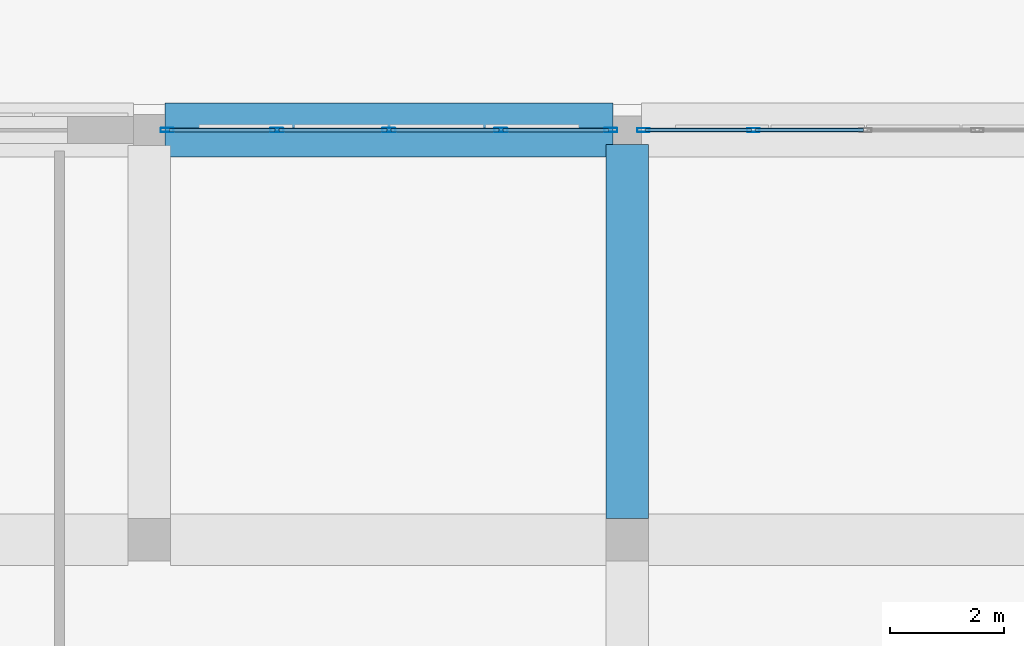
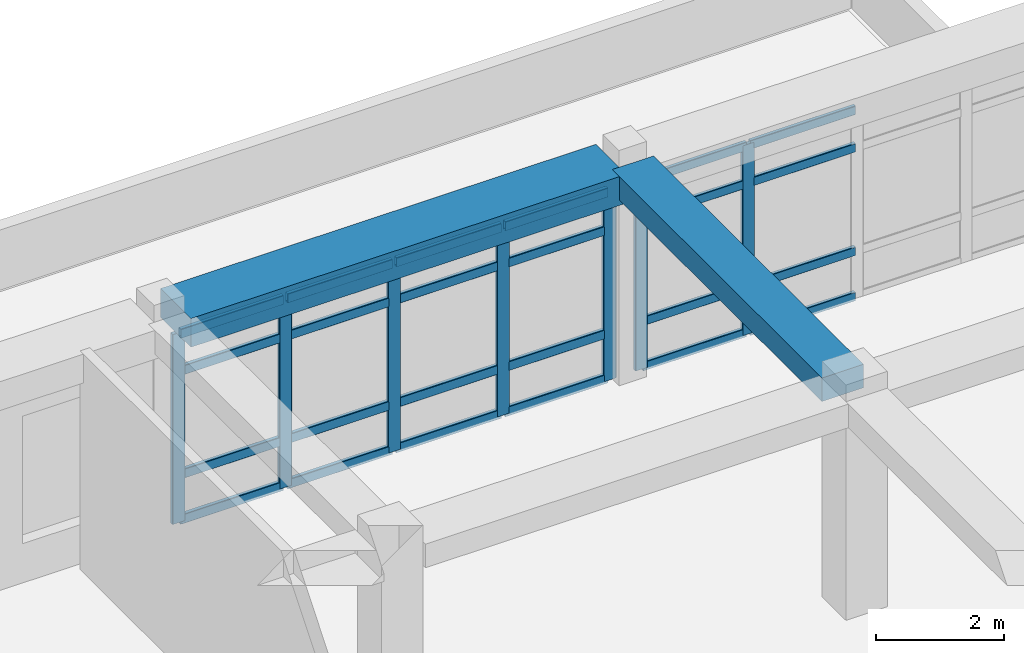
# One storey, part 40 of 111: 31 members, 2 beams, 2 elements without a shape of their own.
"""IFC4 building model written with IfcOpenShell, lengths in metres."""

from ifc_helpers import new_model, si_unit, derived_unit, direction, frame, origin, origin_2d, place, context, subcontext, project, spatial, rectangle, hollow_rectangle, extrude, material, material_profile, profile_set, type_object, element, aggregate, save


model = new_model("IFC4")

# Units and contexts
model_context = context("Model", 3, precision=1e-05, world=origin(), true_north=direction((0.0, 1.0)))
body_context = subcontext(model_context, "Body", "Model", "MODEL_VIEW")
ifc_project = project(units=[si_unit("LENGTHUNIT", "METRE"), si_unit("AREAUNIT", "SQUARE_METRE"), si_unit("VOLUMEUNIT", "CUBIC_METRE"), si_unit("PLANEANGLEUNIT", "RADIAN"), si_unit("MASSUNIT", "GRAM", prefix="KILO"), derived_unit("THERMALTRANSMITTANCEUNIT", [(si_unit("POWERUNIT", "WATT"), 1), (si_unit("LENGTHUNIT", "METRE"), -2), (si_unit("THERMODYNAMICTEMPERATUREUNIT", "KELVIN"), -1)])], contexts=[model_context])

# Site, building, storey
site_placement = place(None, origin())
site = spatial("IfcSite", under=ifc_project, at=site_placement, CompositionType="ELEMENT")
building_placement = place(site_placement, origin())
building = spatial("IfcBuilding", under=site, at=building_placement, Name="Veybourne Emporium", CompositionType="ELEMENT")
storey_placement = place(building_placement, frame((0.0, 0.0, 9.89990234375)))
storey = spatial("IfcBuildingStorey", under=building, at=storey_placement, Name="L02", CompositionType="ELEMENT", Elevation=9.89990234375)

# Curtain wall, members
ifc_material_1 = material(Name="Patinated Architectural Bronze", Category="bronze")
curtain_wall_type_1 = type_object("IfcCurtainWallType", Name="CWSystem_CWS-18", PredefinedType="NOTDEFINED", material=ifc_material_1)
curtain_wall_1_placement = place(storey_placement, origin())
curtain_wall_1 = element("IfcCurtainWall", 1, at=curtain_wall_1_placement, inside=storey, type_object=curtain_wall_type_1, Name="L02 bronze glazed curtain wall CWS-18 (045)", PredefinedType="NOTDEFINED")
ifc_material_profile_1 = material_profile(ifc_material_1, hollow_rectangle(XDim=0.074951171875, YDim=0.22998046875, WallThickness=0.0048828125, InnerFilletRadius=0.007568359375, OuterFilletRadius=0.012451171875, at=origin_2d()), Name="CWM 75x230x5")
ifc_profile_set_1 = profile_set([ifc_material_profile_1], Name="Patinated Architectural Bronze")
member_type_1 = type_object("IfcMemberType", Name="CWMullion_CW-M2", PredefinedType="MULLION", material=ifc_profile_set_1)
member_1_placement = place(storey_placement, frame((84.3125, 108.0, 0.0), z_axis=(0.0, 0.0, 1.0), x_axis=(0.0, 1.0, 0.0)))
member_1 = element("IfcMember", 2, at=member_1_placement, type_object=member_type_1, Name="CWS-18 mullion 1", PredefinedType="MULLION", context=body_context, shape_type="SweptSolid", body=[
    extrude(hollow_rectangle(XDim=0.074951171875, YDim=0.22998046875, WallThickness=0.0048828125, InnerFilletRadius=0.007568359375, OuterFilletRadius=0.012451171875, at=origin_2d()), origin(), (0.0, 0.0, 1.0), 3.630126953125),
])
member_2_placement = place(storey_placement, frame((86.24365234375, 108.0, 0.0), z_axis=(0.0, 0.0, 1.0), x_axis=(0.0, 1.0, 0.0)))
member_2 = element("IfcMember", 3, at=member_2_placement, type_object=member_type_1, Name="CWS-18 mullion 2", PredefinedType="MULLION", context=body_context, shape_type="SweptSolid", body=[
    extrude(hollow_rectangle(XDim=0.074951171875, YDim=0.22998046875, WallThickness=0.0048828125, InnerFilletRadius=0.007568359375, OuterFilletRadius=0.012451171875, at=origin_2d()), origin(), (0.0, 0.0, 1.0), 3.630126953125),
])
member_3_placement = place(storey_placement, frame((88.21240234375, 108.0, 0.0), z_axis=(0.0, 0.0, 1.0), x_axis=(0.0, 1.0, 0.0)))
member_3 = element("IfcMember", 4, at=member_3_placement, type_object=member_type_1, Name="CWS-18 mullion 3", PredefinedType="MULLION", context=body_context, shape_type="SweptSolid", body=[
    extrude(hollow_rectangle(XDim=0.074951171875, YDim=0.22998046875, WallThickness=0.0048828125, InnerFilletRadius=0.007568359375, OuterFilletRadius=0.012451171875, at=origin_2d()), origin(), (0.0, 0.0, 1.0), 3.630126953125),
])
member_4_placement = place(storey_placement, frame((90.18115234375, 108.0, 0.0), z_axis=(0.0, 0.0, 1.0), x_axis=(0.0, 1.0, 0.0)))
member_4 = element("IfcMember", 5, at=member_4_placement, type_object=member_type_1, Name="CWS-18 mullion 4", PredefinedType="MULLION", context=body_context, shape_type="SweptSolid", body=[
    extrude(hollow_rectangle(XDim=0.074951171875, YDim=0.22998046875, WallThickness=0.0048828125, InnerFilletRadius=0.007568359375, OuterFilletRadius=0.012451171875, at=origin_2d()), origin(), (0.0, 0.0, 1.0), 3.630126953125),
])
member_5_placement = place(storey_placement, frame((92.112548828125, 108.0, 0.0), z_axis=(0.0, 0.0, 1.0), x_axis=(0.0, 1.0, 0.0)))
member_5 = element("IfcMember", 6, at=member_5_placement, type_object=member_type_1, Name="CWS-18 mullion 5", PredefinedType="MULLION", context=body_context, shape_type="SweptSolid", body=[
    extrude(hollow_rectangle(XDim=0.074951171875, YDim=0.22998046875, WallThickness=0.0048828125, InnerFilletRadius=0.007568359375, OuterFilletRadius=0.012451171875, at=origin_2d()), origin(), (0.0, 0.0, 1.0), 3.630126953125),
])

curtain_wall_type_2 = type_object("IfcCurtainWallType", Name="CWSystem_CWS-24", PredefinedType="NOTDEFINED", material=ifc_material_1)
curtain_wall_2_placement = place(storey_placement, origin())
curtain_wall_2 = element("IfcCurtainWall", 7, at=curtain_wall_2_placement, inside=storey, type_object=curtain_wall_type_2, Name="L02 bronze glazed curtain wall CWS-24 (060)", PredefinedType="NOTDEFINED")
ifc_material_profile_2 = material_profile(ifc_material_1, hollow_rectangle(XDim=0.070068359375, YDim=0.219970703125, WallThickness=0.0048828125, InnerFilletRadius=0.007568359375, OuterFilletRadius=0.012451171875, at=origin_2d()), Name="CWM 70x220x5")
ifc_profile_set_2 = profile_set([ifc_material_profile_2], Name="Patinated Architectural Bronze")
member_type_2 = type_object("IfcMemberType", Name="CWMullion_CW-M4", PredefinedType="MULLION", material=ifc_profile_set_2)
member_6_placement = place(storey_placement, frame((92.68505859375, 108.0, 0.0), z_axis=(0.0, 0.0, 1.0), x_axis=(0.0, 1.0, 0.0)))
member_6 = element("IfcMember", 8, at=member_6_placement, type_object=member_type_2, Name="CWS-24 mullion 1", PredefinedType="MULLION", context=body_context, shape_type="SweptSolid", body=[
    extrude(hollow_rectangle(XDim=0.070068359375, YDim=0.219970703125, WallThickness=0.0048828125, InnerFilletRadius=0.007568359375, OuterFilletRadius=0.012451171875, at=origin_2d()), origin(), (0.0, 0.0, 1.0), 3.630126953125),
])
member_7_placement = place(storey_placement, frame((94.61865234375, 108.0, 0.0), z_axis=(0.0, 0.0, 1.0), x_axis=(0.0, 1.0, 0.0)))
member_7 = element("IfcMember", 9, at=member_7_placement, type_object=member_type_2, Name="CWS-24 mullion 2", PredefinedType="MULLION", context=body_context, shape_type="SweptSolid", body=[
    extrude(hollow_rectangle(XDim=0.070068359375, YDim=0.219970703125, WallThickness=0.0048828125, InnerFilletRadius=0.007568359375, OuterFilletRadius=0.012451171875, at=origin_2d()), origin(), (0.0, 0.0, 1.0), 3.630126953125),
])

# Member
ifc_material_profile_3 = material_profile(ifc_material_1, hollow_rectangle(XDim=0.074951171875, YDim=0.179931640625, WallThickness=0.0048828125, InnerFilletRadius=0.007568359375, OuterFilletRadius=0.012451171875, at=origin_2d()), Name="CWT 75x180x5")
ifc_profile_set_3 = profile_set([ifc_material_profile_3], Name="Patinated Architectural Bronze")
member_type_3 = type_object("IfcMemberType", Name="CWTransom_CW-T2", PredefinedType="NOTDEFINED", material=ifc_profile_set_3)
member_8_placement = place(storey_placement, frame((84.35009765625, 108.0, 0.03759765625), z_axis=(1.0, 0.0, 0.0), x_axis=(0.0, 1.0, 0.0)))
member_8 = element("IfcMember", 10, at=member_8_placement, type_object=member_type_3, Name="CWS-18 transom 1.1", ObjectType="TRANSOM", PredefinedType="USERDEFINED", context=body_context, shape_type="SweptSolid", body=[
    extrude(hollow_rectangle(XDim=0.074951171875, YDim=0.179931640625, WallThickness=0.0048828125, InnerFilletRadius=0.007568359375, OuterFilletRadius=0.012451171875, at=origin_2d()), origin(), (0.0, 0.0, 1.0), 1.856201171875),
])

member_9_placement = place(storey_placement, frame((84.35009765625, 108.0, 0.900146484375), z_axis=(1.0, 0.0, 0.0), x_axis=(0.0, 1.0, 0.0)))
member_9 = element("IfcMember", 11, at=member_9_placement, type_object=member_type_3, Name="CWS-18 transom 1.2", ObjectType="TRANSOM", PredefinedType="USERDEFINED", context=body_context, shape_type="SweptSolid", body=[
    extrude(hollow_rectangle(XDim=0.074951171875, YDim=0.179931640625, WallThickness=0.0048828125, InnerFilletRadius=0.007568359375, OuterFilletRadius=0.012451171875, at=origin_2d()), origin(), (0.0, 0.0, 1.0), 1.856201171875),
])

member_10_placement = place(storey_placement, frame((84.35009765625, 108.0, 2.880126953125), z_axis=(1.0, 0.0, 0.0), x_axis=(0.0, 1.0, 0.0)))
member_10 = element("IfcMember", 12, at=member_10_placement, type_object=member_type_3, Name="CWS-18 transom 1.3", ObjectType="TRANSOM", PredefinedType="USERDEFINED", context=body_context, shape_type="SweptSolid", body=[
    extrude(hollow_rectangle(XDim=0.074951171875, YDim=0.179931640625, WallThickness=0.0048828125, InnerFilletRadius=0.007568359375, OuterFilletRadius=0.012451171875, at=origin_2d()), origin(), (0.0, 0.0, 1.0), 1.856201171875),
])

member_11_placement = place(storey_placement, frame((84.35009765625, 108.0, 3.592529296875), z_axis=(1.0, 0.0, 0.0), x_axis=(0.0, 1.0, 0.0)))
member_11 = element("IfcMember", 13, at=member_11_placement, type_object=member_type_3, Name="CWS-18 transom 1.4", ObjectType="TRANSOM", PredefinedType="USERDEFINED", context=body_context, shape_type="SweptSolid", body=[
    extrude(hollow_rectangle(XDim=0.074951171875, YDim=0.179931640625, WallThickness=0.0048828125, InnerFilletRadius=0.007568359375, OuterFilletRadius=0.012451171875, at=origin_2d()), origin(), (0.0, 0.0, 1.0), 1.856201171875),
])

member_12_placement = place(storey_placement, frame((86.28125, 108.0, 0.03759765625), z_axis=(1.0, 0.0, 0.0), x_axis=(0.0, 1.0, 0.0)))
member_12 = element("IfcMember", 14, at=member_12_placement, type_object=member_type_3, Name="CWS-18 transom 2.1", ObjectType="TRANSOM", PredefinedType="USERDEFINED", context=body_context, shape_type="SweptSolid", body=[
    extrude(hollow_rectangle(XDim=0.074951171875, YDim=0.179931640625, WallThickness=0.0048828125, InnerFilletRadius=0.007568359375, OuterFilletRadius=0.012451171875, at=origin_2d()), origin(), (0.0, 0.0, 1.0), 1.893798828125),
])

member_13_placement = place(storey_placement, frame((86.28125, 108.0, 0.900146484375), z_axis=(1.0, 0.0, 0.0), x_axis=(0.0, 1.0, 0.0)))
member_13 = element("IfcMember", 15, at=member_13_placement, type_object=member_type_3, Name="CWS-18 transom 2.2", ObjectType="TRANSOM", PredefinedType="USERDEFINED", context=body_context, shape_type="SweptSolid", body=[
    extrude(hollow_rectangle(XDim=0.074951171875, YDim=0.179931640625, WallThickness=0.0048828125, InnerFilletRadius=0.007568359375, OuterFilletRadius=0.012451171875, at=origin_2d()), origin(), (0.0, 0.0, 1.0), 1.893798828125),
])

member_14_placement = place(storey_placement, frame((86.28125, 108.0, 2.880126953125), z_axis=(1.0, 0.0, 0.0), x_axis=(0.0, 1.0, 0.0)))
member_14 = element("IfcMember", 16, at=member_14_placement, type_object=member_type_3, Name="CWS-18 transom 2.3", ObjectType="TRANSOM", PredefinedType="USERDEFINED", context=body_context, shape_type="SweptSolid", body=[
    extrude(hollow_rectangle(XDim=0.074951171875, YDim=0.179931640625, WallThickness=0.0048828125, InnerFilletRadius=0.007568359375, OuterFilletRadius=0.012451171875, at=origin_2d()), origin(), (0.0, 0.0, 1.0), 1.893798828125),
])

member_15_placement = place(storey_placement, frame((86.28125, 108.0, 3.592529296875), z_axis=(1.0, 0.0, 0.0), x_axis=(0.0, 1.0, 0.0)))
member_15 = element("IfcMember", 17, at=member_15_placement, type_object=member_type_3, Name="CWS-18 transom 2.4", ObjectType="TRANSOM", PredefinedType="USERDEFINED", context=body_context, shape_type="SweptSolid", body=[
    extrude(hollow_rectangle(XDim=0.074951171875, YDim=0.179931640625, WallThickness=0.0048828125, InnerFilletRadius=0.007568359375, OuterFilletRadius=0.012451171875, at=origin_2d()), origin(), (0.0, 0.0, 1.0), 1.893798828125),
])

member_16_placement = place(storey_placement, frame((88.25, 108.0, 0.03759765625), z_axis=(1.0, 0.0, 0.0), x_axis=(0.0, 1.0, 0.0)))
member_16 = element("IfcMember", 18, at=member_16_placement, type_object=member_type_3, Name="CWS-18 transom 3.1", ObjectType="TRANSOM", PredefinedType="USERDEFINED", context=body_context, shape_type="SweptSolid", body=[
    extrude(hollow_rectangle(XDim=0.074951171875, YDim=0.179931640625, WallThickness=0.0048828125, InnerFilletRadius=0.007568359375, OuterFilletRadius=0.012451171875, at=origin_2d()), origin(), (0.0, 0.0, 1.0), 1.893798828125),
])

member_17_placement = place(storey_placement, frame((88.25, 108.0, 0.900146484375), z_axis=(1.0, 0.0, 0.0), x_axis=(0.0, 1.0, 0.0)))
member_17 = element("IfcMember", 19, at=member_17_placement, type_object=member_type_3, Name="CWS-18 transom 3.2", ObjectType="TRANSOM", PredefinedType="USERDEFINED", context=body_context, shape_type="SweptSolid", body=[
    extrude(hollow_rectangle(XDim=0.074951171875, YDim=0.179931640625, WallThickness=0.0048828125, InnerFilletRadius=0.007568359375, OuterFilletRadius=0.012451171875, at=origin_2d()), origin(), (0.0, 0.0, 1.0), 1.893798828125),
])

member_18_placement = place(storey_placement, frame((88.25, 108.0, 2.880126953125), z_axis=(1.0, 0.0, 0.0), x_axis=(0.0, 1.0, 0.0)))
member_18 = element("IfcMember", 20, at=member_18_placement, type_object=member_type_3, Name="CWS-18 transom 3.3", ObjectType="TRANSOM", PredefinedType="USERDEFINED", context=body_context, shape_type="SweptSolid", body=[
    extrude(hollow_rectangle(XDim=0.074951171875, YDim=0.179931640625, WallThickness=0.0048828125, InnerFilletRadius=0.007568359375, OuterFilletRadius=0.012451171875, at=origin_2d()), origin(), (0.0, 0.0, 1.0), 1.893798828125),
])

member_19_placement = place(storey_placement, frame((88.25, 108.0, 3.592529296875), z_axis=(1.0, 0.0, 0.0), x_axis=(0.0, 1.0, 0.0)))
member_19 = element("IfcMember", 21, at=member_19_placement, type_object=member_type_3, Name="CWS-18 transom 3.4", ObjectType="TRANSOM", PredefinedType="USERDEFINED", context=body_context, shape_type="SweptSolid", body=[
    extrude(hollow_rectangle(XDim=0.074951171875, YDim=0.179931640625, WallThickness=0.0048828125, InnerFilletRadius=0.007568359375, OuterFilletRadius=0.012451171875, at=origin_2d()), origin(), (0.0, 0.0, 1.0), 1.893798828125),
])

member_20_placement = place(storey_placement, frame((90.21875, 108.0, 0.03759765625), z_axis=(1.0, 0.0, 0.0), x_axis=(0.0, 1.0, 0.0)))
member_20 = element("IfcMember", 22, at=member_20_placement, type_object=member_type_3, Name="CWS-18 transom 4.1", ObjectType="TRANSOM", PredefinedType="USERDEFINED", context=body_context, shape_type="SweptSolid", body=[
    extrude(hollow_rectangle(XDim=0.074951171875, YDim=0.179931640625, WallThickness=0.0048828125, InnerFilletRadius=0.007568359375, OuterFilletRadius=0.012451171875, at=origin_2d()), origin(), (0.0, 0.0, 1.0), 1.856201171875),
])

member_21_placement = place(storey_placement, frame((90.21875, 108.0, 0.900146484375), z_axis=(1.0, 0.0, 0.0), x_axis=(0.0, 1.0, 0.0)))
member_21 = element("IfcMember", 23, at=member_21_placement, type_object=member_type_3, Name="CWS-18 transom 4.2", ObjectType="TRANSOM", PredefinedType="USERDEFINED", context=body_context, shape_type="SweptSolid", body=[
    extrude(hollow_rectangle(XDim=0.074951171875, YDim=0.179931640625, WallThickness=0.0048828125, InnerFilletRadius=0.007568359375, OuterFilletRadius=0.012451171875, at=origin_2d()), origin(), (0.0, 0.0, 1.0), 1.856201171875),
])

member_22_placement = place(storey_placement, frame((90.21875, 108.0, 2.880126953125), z_axis=(1.0, 0.0, 0.0), x_axis=(0.0, 1.0, 0.0)))
member_22 = element("IfcMember", 24, at=member_22_placement, type_object=member_type_3, Name="CWS-18 transom 4.3", ObjectType="TRANSOM", PredefinedType="USERDEFINED", context=body_context, shape_type="SweptSolid", body=[
    extrude(hollow_rectangle(XDim=0.074951171875, YDim=0.179931640625, WallThickness=0.0048828125, InnerFilletRadius=0.007568359375, OuterFilletRadius=0.012451171875, at=origin_2d()), origin(), (0.0, 0.0, 1.0), 1.856201171875),
])

member_23_placement = place(storey_placement, frame((90.21875, 108.0, 3.592529296875), z_axis=(1.0, 0.0, 0.0), x_axis=(0.0, 1.0, 0.0)))
member_23 = element("IfcMember", 25, at=member_23_placement, type_object=member_type_3, Name="CWS-18 transom 4.4", ObjectType="TRANSOM", PredefinedType="USERDEFINED", context=body_context, shape_type="SweptSolid", body=[
    extrude(hollow_rectangle(XDim=0.074951171875, YDim=0.179931640625, WallThickness=0.0048828125, InnerFilletRadius=0.007568359375, OuterFilletRadius=0.012451171875, at=origin_2d()), origin(), (0.0, 0.0, 1.0), 1.856201171875),
])

aggregate(curtain_wall_1, [member_1, member_2, member_3, member_4, member_5, member_8, member_9, member_10, member_11, member_12, member_13, member_14, member_15, member_16, member_17, member_18, member_19, member_20, member_21, member_22, member_23])

ifc_material_profile_4 = material_profile(ifc_material_1, hollow_rectangle(XDim=0.070068359375, YDim=0.169921875, WallThickness=0.0048828125, InnerFilletRadius=0.007568359375, OuterFilletRadius=0.012451171875, at=origin_2d()), Name="CWT 70x170x5")
ifc_profile_set_4 = profile_set([ifc_material_profile_4], Name="Patinated Architectural Bronze")
member_type_4 = type_object("IfcMemberType", Name="CWTransom_CW-T4", PredefinedType="NOTDEFINED", material=ifc_profile_set_4)
member_24_placement = place(storey_placement, frame((92.719970703125, 108.0, 0.03515625), z_axis=(1.0, 0.0, 0.0), x_axis=(0.0, 1.0, 0.0)))
member_24 = element("IfcMember", 26, at=member_24_placement, type_object=member_type_4, Name="CWS-24 transom 1.1", ObjectType="TRANSOM", PredefinedType="USERDEFINED", context=body_context, shape_type="SweptSolid", body=[
    extrude(hollow_rectangle(XDim=0.070068359375, YDim=0.169921875, WallThickness=0.0048828125, InnerFilletRadius=0.007568359375, OuterFilletRadius=0.012451171875, at=origin_2d()), origin(), (0.0, 0.0, 1.0), 1.86376953125),
])

member_25_placement = place(storey_placement, frame((92.719970703125, 108.0, 0.900146484375), z_axis=(1.0, 0.0, 0.0), x_axis=(0.0, 1.0, 0.0)))
member_25 = element("IfcMember", 27, at=member_25_placement, type_object=member_type_4, Name="CWS-24 transom 1.2", ObjectType="TRANSOM", PredefinedType="USERDEFINED", context=body_context, shape_type="SweptSolid", body=[
    extrude(hollow_rectangle(XDim=0.070068359375, YDim=0.169921875, WallThickness=0.0048828125, InnerFilletRadius=0.007568359375, OuterFilletRadius=0.012451171875, at=origin_2d()), origin(), (0.0, 0.0, 1.0), 1.86376953125),
])

member_26_placement = place(storey_placement, frame((92.719970703125, 108.0, 2.880126953125), z_axis=(1.0, 0.0, 0.0), x_axis=(0.0, 1.0, 0.0)))
member_26 = element("IfcMember", 28, at=member_26_placement, type_object=member_type_4, Name="CWS-24 transom 1.3", ObjectType="TRANSOM", PredefinedType="USERDEFINED", context=body_context, shape_type="SweptSolid", body=[
    extrude(hollow_rectangle(XDim=0.070068359375, YDim=0.169921875, WallThickness=0.0048828125, InnerFilletRadius=0.007568359375, OuterFilletRadius=0.012451171875, at=origin_2d()), origin(), (0.0, 0.0, 1.0), 1.86376953125),
])

member_27_placement = place(storey_placement, frame((92.719970703125, 108.0, 3.59521484375), z_axis=(1.0, 0.0, 0.0), x_axis=(0.0, 1.0, 0.0)))
member_27 = element("IfcMember", 29, at=member_27_placement, type_object=member_type_4, Name="CWS-24 transom 1.4", ObjectType="TRANSOM", PredefinedType="USERDEFINED", context=body_context, shape_type="SweptSolid", body=[
    extrude(hollow_rectangle(XDim=0.070068359375, YDim=0.169921875, WallThickness=0.0048828125, InnerFilletRadius=0.007568359375, OuterFilletRadius=0.012451171875, at=origin_2d()), origin(), (0.0, 0.0, 1.0), 1.86376953125),
])

member_28_placement = place(storey_placement, frame((94.65380859375, 108.0, 0.03515625), z_axis=(1.0, 0.0, 0.0), x_axis=(0.0, 1.0, 0.0)))
member_28 = element("IfcMember", 30, at=member_28_placement, type_object=member_type_4, Name="CWS-24 transom 2.1", ObjectType="TRANSOM", PredefinedType="USERDEFINED", context=body_context, shape_type="SweptSolid", body=[
    extrude(hollow_rectangle(XDim=0.070068359375, YDim=0.169921875, WallThickness=0.0048828125, InnerFilletRadius=0.007568359375, OuterFilletRadius=0.012451171875, at=origin_2d()), origin(), (0.0, 0.0, 1.0), 1.898681640625),
])

member_29_placement = place(storey_placement, frame((94.65380859375, 108.0, 0.900146484375), z_axis=(1.0, 0.0, 0.0), x_axis=(0.0, 1.0, 0.0)))
member_29 = element("IfcMember", 31, at=member_29_placement, type_object=member_type_4, Name="CWS-24 transom 2.2", ObjectType="TRANSOM", PredefinedType="USERDEFINED", context=body_context, shape_type="SweptSolid", body=[
    extrude(hollow_rectangle(XDim=0.070068359375, YDim=0.169921875, WallThickness=0.0048828125, InnerFilletRadius=0.007568359375, OuterFilletRadius=0.012451171875, at=origin_2d()), origin(), (0.0, 0.0, 1.0), 1.898681640625),
])

member_30_placement = place(storey_placement, frame((94.65380859375, 108.0, 2.880126953125), z_axis=(1.0, 0.0, 0.0), x_axis=(0.0, 1.0, 0.0)))
member_30 = element("IfcMember", 32, at=member_30_placement, type_object=member_type_4, Name="CWS-24 transom 2.3", ObjectType="TRANSOM", PredefinedType="USERDEFINED", context=body_context, shape_type="SweptSolid", body=[
    extrude(hollow_rectangle(XDim=0.070068359375, YDim=0.169921875, WallThickness=0.0048828125, InnerFilletRadius=0.007568359375, OuterFilletRadius=0.012451171875, at=origin_2d()), origin(), (0.0, 0.0, 1.0), 1.898681640625),
])

member_31_placement = place(storey_placement, frame((94.65380859375, 108.0, 3.59521484375), z_axis=(1.0, 0.0, 0.0), x_axis=(0.0, 1.0, 0.0)))
member_31 = element("IfcMember", 33, at=member_31_placement, type_object=member_type_4, Name="CWS-24 transom 2.4", ObjectType="TRANSOM", PredefinedType="USERDEFINED", context=body_context, shape_type="SweptSolid", body=[
    extrude(hollow_rectangle(XDim=0.070068359375, YDim=0.169921875, WallThickness=0.0048828125, InnerFilletRadius=0.007568359375, OuterFilletRadius=0.012451171875, at=origin_2d()), origin(), (0.0, 0.0, 1.0), 1.898681640625),
])

aggregate(curtain_wall_2, [member_6, member_7, member_24, member_25, member_26, member_27, member_28, member_29, member_30, member_31])

# Beams
ifc_material_2 = material(Name="Concrete C32/40", Category="concrete")
ifc_material_profile_5 = material_profile(ifc_material_2, rectangle(XDim=0.75, YDim=0.449951171875, at=origin_2d()), Name="RC 750x450")
ifc_profile_set_5 = profile_set([ifc_material_profile_5], Name="Concrete C32/40")
beam_type_1 = type_object("IfcBeamType", Name="RCBeam_BB-04", PredefinedType="BEAM", material=ifc_profile_set_5)
beam_1_placement = place(storey_placement, frame((92.39990234375, 101.175048828125, 3.955078125), z_axis=(0.0, 1.0, 0.0), x_axis=(-1.0, 0.0, 0.0)))
element("IfcBeam", 34, at=beam_1_placement, inside=storey, type_object=beam_type_1, Name="L02 Y-grid beam BB-04 (11,14)", PredefinedType="BEAM", context=body_context, shape_type="SweptSolid", body=[
    extrude(rectangle(XDim=0.75, YDim=0.449951171875, at=origin_2d()), origin(), (0.0, 0.0, 1.0), 6.574951171875),
])
ifc_material_profile_6 = material_profile(ifc_material_2, rectangle(XDim=0.949951171875, YDim=0.550048828125, at=origin_2d()), Name="RC 950x550")
ifc_profile_set_6 = profile_set([ifc_material_profile_6], Name="Concrete C32/40")
beam_type_2 = type_object("IfcBeamType", Name="RCBeam_EB-01", PredefinedType="SPANDREL", material=ifc_profile_set_6)
beam_2_placement = place(storey_placement, frame((84.27490234375, 108.0, 3.905029296875), z_axis=(1.0, 0.0, 0.0), x_axis=(0.0, 1.0, 0.0)))
element("IfcBeam", 35, at=beam_2_placement, inside=storey, type_object=beam_type_2, Name="L02 X-grid beam EB-01 (10,15)", PredefinedType="SPANDREL", context=body_context, shape_type="SweptSolid", body=[
    extrude(rectangle(XDim=0.949951171875, YDim=0.550048828125, at=origin_2d()), origin(), (0.0, 0.0, 1.0), 7.875),
])

save(model, "model.ifc")
